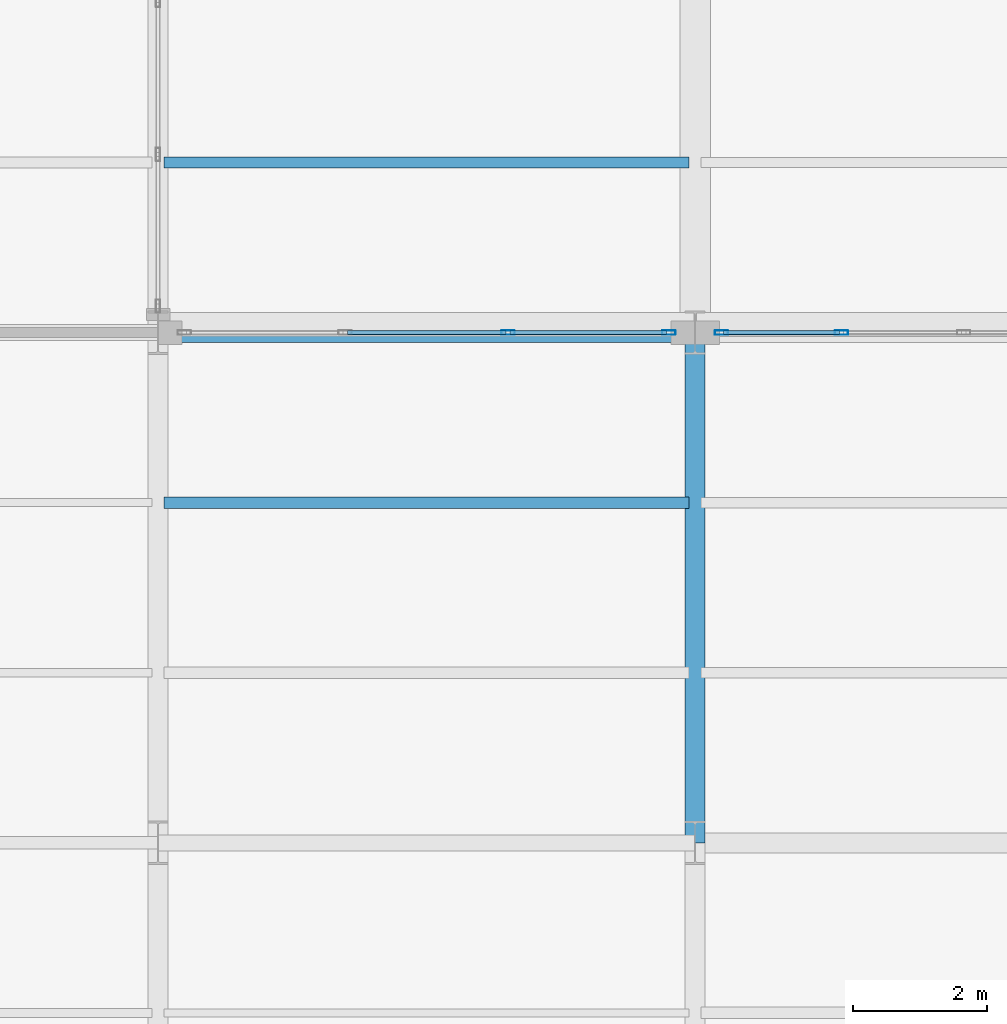
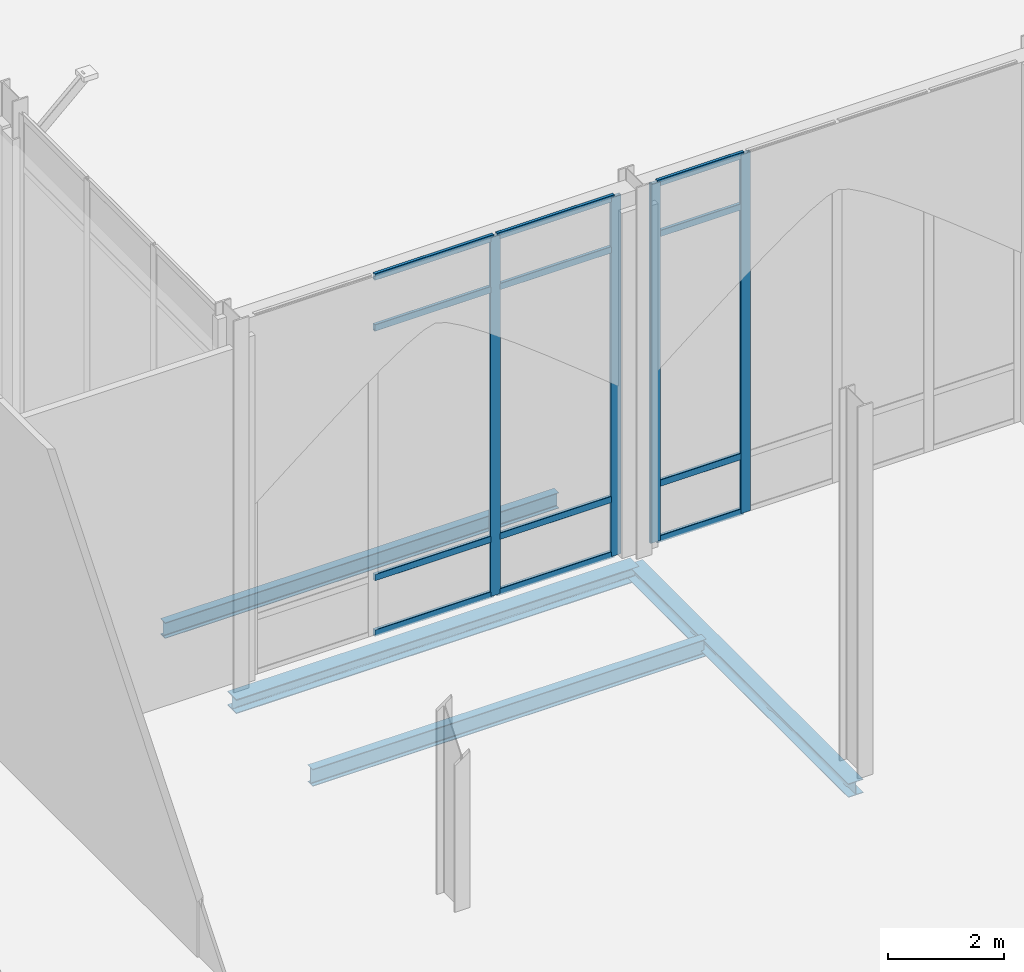
# One storey, part 36 of 176: 16 members, 4 beams, 2 elements without a shape of their own.
"""IFC4 building model written with IfcOpenShell, lengths in metres."""

from ifc_helpers import new_model, si_unit, direction, frame, origin, origin_2d, place, context, subcontext, project, spatial, hollow_rectangle, i_section, extrude, material, layer, layer_set, material_profile, profile_set, type_object, element, aggregate, save


model = new_model("IFC4")

# Units and contexts
model_context = context("Model", 3, precision=1e-05, world=origin(), true_north=direction((0.0, 1.0)))
body_context = subcontext(model_context, "Body", "Model", "MODEL_VIEW")
ifc_project = project(units=[si_unit("LENGTHUNIT", "METRE"), si_unit("AREAUNIT", "SQUARE_METRE"), si_unit("VOLUMEUNIT", "CUBIC_METRE"), si_unit("PLANEANGLEUNIT", "RADIAN"), si_unit("MASSUNIT", "GRAM", prefix="KILO")], contexts=[model_context])

# Site, building, storey
site_placement = place(None, origin())
site = spatial("IfcSite", under=ifc_project, at=site_placement, CompositionType="ELEMENT")
building_placement = place(site_placement, origin())
building = spatial("IfcBuilding", under=site, at=building_placement, Name="Vekula Escarpment Museum", CompositionType="ELEMENT")
storey_placement = place(building_placement, origin())
storey = spatial("IfcBuildingStorey", under=building, at=storey_placement, Name="L01", CompositionType="ELEMENT", Elevation=0.0)

# Beams
ifc_material_1 = material(Name="Steel S355", Category="steel")
ifc_material_profile_1 = material_profile(ifc_material_1, i_section(OverallWidth=0.300048828125, OverallDepth=0.300048828125, WebThickness=0.010986328125, FlangeThickness=0.01904296875, FilletRadius=0.027099609375, at=origin_2d()), Name="HEB 300")
ifc_profile_set_1 = profile_set([ifc_material_profile_1], Name="Steel S355")
beam_type_1 = type_object("IfcBeamType", Name="BM-GIRD-HEB300", PredefinedType="BEAM", material=ifc_profile_set_1)
beam_1_placement = place(storey_placement, frame((102.0, 15.199951171875, -0.449951171875), z_axis=(1.0, 0.0, 0.0), x_axis=(0.0, 1.0, 0.0)))
element("IfcBeam", 1, at=beam_1_placement, inside=storey, type_object=beam_type_1, Name="Beam X L01 0059", PredefinedType="BEAM", context=body_context, shape_type="SweptSolid", body=[
    extrude(i_section(OverallWidth=0.300048828125, OverallDepth=0.300048828125, WebThickness=0.010986328125, FlangeThickness=0.01904296875, FilletRadius=0.027099609375, at=origin_2d()), origin(), (0.0, 0.0, 1.0), 8.0),
])
ifc_material_2 = material(Name="Steel S355", Category="steel")
ifc_material_profile_2 = material_profile(ifc_material_2, i_section(OverallWidth=0.159912109375, OverallDepth=0.330078125, WebThickness=0.007568359375, FlangeThickness=0.011474609375, FilletRadius=0.01806640625, at=origin_2d()), Name="IPE 330")
ifc_profile_set_2 = profile_set([ifc_material_profile_2], Name="Steel S355")
beam_type_2 = type_object("IfcBeamType", Name="BM-JST-IPE330", PredefinedType="JOIST", material=ifc_profile_set_2)
beam_2_placement = place(storey_placement, frame((102.090087890625, 17.7333984375, -0.465087890625), z_axis=(1.0, 0.0, 0.0), x_axis=(0.0, 1.0, 0.0)))
element("IfcBeam", 2, at=beam_2_placement, inside=storey, type_object=beam_type_2, Name="Secondary Joist L01 0324", PredefinedType="JOIST", context=body_context, shape_type="SweptSolid", body=[
    extrude(i_section(OverallWidth=0.159912109375, OverallDepth=0.330078125, WebThickness=0.007568359375, FlangeThickness=0.011474609375, FilletRadius=0.01806640625, at=origin_2d()), origin(), (0.0, 0.0, 1.0), 7.81982421875),
])
ifc_material_3 = material(Name="Steel S355", Category="steel")
ifc_material_profile_3 = material_profile(ifc_material_3, i_section(OverallWidth=0.169921875, OverallDepth=0.360107421875, WebThickness=0.008056640625, FlangeThickness=0.0126953125, FilletRadius=0.01806640625, at=origin_2d()), Name="IPE 360")
ifc_profile_set_3 = profile_set([ifc_material_profile_3], Name="Steel S355")
beam_type_3 = type_object("IfcBeamType", Name="BM-JST-IPE360", PredefinedType="JOIST", material=ifc_profile_set_3)
beam_3_placement = place(storey_placement, frame((102.090087890625, 12.666748046875, -0.47998046875), z_axis=(1.0, 0.0, 0.0), x_axis=(0.0, 1.0, 0.0)))
element("IfcBeam", 3, at=beam_3_placement, inside=storey, type_object=beam_type_3, Name="Secondary Joist L01 0323", PredefinedType="JOIST", context=body_context, shape_type="SweptSolid", body=[
    extrude(i_section(OverallWidth=0.169921875, OverallDepth=0.360107421875, WebThickness=0.008056640625, FlangeThickness=0.0126953125, FilletRadius=0.01806640625, at=origin_2d()), origin(), (0.0, 0.0, 1.0), 7.81982421875),
])
ifc_material_4 = material(Name="Steel S355", Category="steel")
ifc_material_profile_4 = material_profile(ifc_material_4, i_section(OverallWidth=0.300048828125, OverallDepth=0.2900390625, WebThickness=0.008544921875, FlangeThickness=0.013916015625, FilletRadius=0.027099609375, at=origin_2d()), Name="HEA 300")
ifc_profile_set_4 = profile_set([ifc_material_profile_4], Name="Steel S355")
beam_type_4 = type_object("IfcBeamType", Name="BM-SPAN-HEA300", PredefinedType="SPANDREL", material=ifc_profile_set_4)
beam_4_placement = place(storey_placement, frame((110.0, 7.60009765625, -0.445068359375), z_axis=(0.0, 1.0, 0.0), x_axis=(-1.0, 0.0, 0.0)))
element("IfcBeam", 4, at=beam_4_placement, inside=storey, type_object=beam_type_4, Name="Beam Y L01 0613", PredefinedType="SPANDREL", context=body_context, shape_type="SweptSolid", body=[
    extrude(i_section(OverallWidth=0.300048828125, OverallDepth=0.2900390625, WebThickness=0.008544921875, FlangeThickness=0.013916015625, FilletRadius=0.027099609375, at=origin_2d()), origin(), (0.0, 0.0, 1.0), 7.599853515625),
])

# Curtain wall, members
ifc_material_5 = material(Name="Aluminium thermally broken framing", Category="aluminium")
ifc_layer_1 = layer(ifc_material_5, 0.159912109375)
ifc_layer_set_1 = layer_set([ifc_layer_1], Name="Aluminium thermally broken framing")
curtain_wall_type_1 = type_object("IfcCurtainWallType", Name="CW-SYS-01", PredefinedType="NOTDEFINED", material=ifc_layer_set_1)
curtain_wall_1_placement = place(storey_placement, origin())
curtain_wall_1 = element("IfcCurtainWall", 5, at=curtain_wall_1_placement, inside=storey, type_object=curtain_wall_type_1, Name="Curtain Wall CW-L01-001", PredefinedType="NOTDEFINED")
ifc_material_6 = material(Name="Aluminium anodized mullion", Category="aluminium")
ifc_material_profile_5 = material_profile(ifc_material_6, hollow_rectangle(XDim=0.06494140625, YDim=0.199951171875, WallThickness=0.00390625, InnerFilletRadius=0.00390625, OuterFilletRadius=0.008056640625, at=origin_2d()), Name="ALU 200x65x4")
ifc_profile_set_5 = profile_set([ifc_material_profile_5], Name="Aluminium anodized mullion")
member_type_1 = type_object("IfcMemberType", Name="CW-MUL-200", PredefinedType="MULLION", material=ifc_profile_set_5)
member_1_placement = place(storey_placement, frame((112.179931640625, 15.199951171875, 0.0), z_axis=(0.0, 0.0, 1.0), x_axis=(0.0, -1.0, 0.0)))
member_1 = element("IfcMember", 6, at=member_1_placement, type_object=member_type_1, Name="CW-01 mullion 4", PredefinedType="MULLION", context=body_context, shape_type="SweptSolid", body=[
    extrude(hollow_rectangle(XDim=0.06494140625, YDim=0.199951171875, WallThickness=0.00390625, InnerFilletRadius=0.00390625, OuterFilletRadius=0.008056640625, at=origin_2d()), origin(), (0.0, 0.0, 1.0), 7.5400390625),
])
member_2_placement = place(storey_placement, frame((110.392578125, 15.199951171875, 0.0), z_axis=(0.0, 0.0, 1.0), x_axis=(0.0, -1.0, 0.0)))
member_2 = element("IfcMember", 7, at=member_2_placement, type_object=member_type_1, Name="CW-01 mullion 5", PredefinedType="MULLION", context=body_context, shape_type="SweptSolid", body=[
    extrude(hollow_rectangle(XDim=0.06494140625, YDim=0.199951171875, WallThickness=0.00390625, InnerFilletRadius=0.00390625, OuterFilletRadius=0.008056640625, at=origin_2d()), origin(), (0.0, 0.0, 1.0), 7.5400390625),
])

ifc_material_7 = material(Name="Aluminium thermally broken framing", Category="aluminium")
ifc_layer_2 = layer(ifc_material_7, 0.159912109375)
ifc_layer_set_2 = layer_set([ifc_layer_2], Name="Aluminium thermally broken framing")
curtain_wall_type_2 = type_object("IfcCurtainWallType", Name="CW-SYS-02", PredefinedType="NOTDEFINED", material=ifc_layer_set_2)
curtain_wall_2_placement = place(storey_placement, origin())
curtain_wall_2 = element("IfcCurtainWall", 8, at=curtain_wall_2_placement, inside=storey, type_object=curtain_wall_type_2, Name="Curtain Wall CW-L01-002", PredefinedType="NOTDEFINED")
member_3_placement = place(storey_placement, frame((109.607421875, 15.199951171875, 0.0), z_axis=(0.0, 0.0, 1.0), x_axis=(0.0, -1.0, 0.0)))
member_3 = element("IfcMember", 9, at=member_3_placement, type_object=member_type_1, Name="CW-02 mullion 1", PredefinedType="MULLION", context=body_context, shape_type="SweptSolid", body=[
    extrude(hollow_rectangle(XDim=0.06494140625, YDim=0.199951171875, WallThickness=0.00390625, InnerFilletRadius=0.00390625, OuterFilletRadius=0.008056640625, at=origin_2d()), origin(), (0.0, 0.0, 1.0), 7.5400390625),
])
member_4_placement = place(storey_placement, frame((107.21337890625, 15.199951171875, 0.0), z_axis=(0.0, 0.0, 1.0), x_axis=(0.0, -1.0, 0.0)))
member_4 = element("IfcMember", 10, at=member_4_placement, type_object=member_type_1, Name="CW-02 mullion 2", PredefinedType="MULLION", context=body_context, shape_type="SweptSolid", body=[
    extrude(hollow_rectangle(XDim=0.06494140625, YDim=0.199951171875, WallThickness=0.00390625, InnerFilletRadius=0.00390625, OuterFilletRadius=0.008056640625, at=origin_2d()), origin(), (0.0, 0.0, 1.0), 7.5400390625),
])

# Member
ifc_material_8 = material(Name="Aluminium anodized transom", Category="aluminium")
ifc_material_profile_6 = material_profile(ifc_material_8, hollow_rectangle(XDim=0.06494140625, YDim=0.139892578125, WallThickness=0.00390625, InnerFilletRadius=0.00390625, OuterFilletRadius=0.008056640625, at=origin_2d()), Name="ALU 140x65x4")
ifc_profile_set_6 = profile_set([ifc_material_profile_6], Name="Aluminium anodized transom")
member_type_2 = type_object("IfcMemberType", Name="CW-TRN-140", PredefinedType="USERDEFINED", material=ifc_profile_set_6)
member_5_placement = place(storey_placement, frame((112.1474609375, 15.199951171875, 0.032470703125), z_axis=(-1.0, 0.0, 0.0), x_axis=(0.0, -1.0, 0.0)))
member_5 = element("IfcMember", 11, at=member_5_placement, type_object=member_type_2, Name="CW-01 transom 4.1", ObjectType="TRANSOM", PredefinedType="USERDEFINED", context=body_context, shape_type="SweptSolid", body=[
    extrude(hollow_rectangle(XDim=0.06494140625, YDim=0.139892578125, WallThickness=0.00390625, InnerFilletRadius=0.00390625, OuterFilletRadius=0.008056640625, at=origin_2d()), origin(), (0.0, 0.0, 1.0), 1.722412109375),
])

member_6_placement = place(storey_placement, frame((112.1474609375, 15.199951171875, 1.199951171875), z_axis=(-1.0, 0.0, 0.0), x_axis=(0.0, -1.0, 0.0)))
member_6 = element("IfcMember", 12, at=member_6_placement, type_object=member_type_2, Name="CW-01 transom 4.2", ObjectType="TRANSOM", PredefinedType="USERDEFINED", context=body_context, shape_type="SweptSolid", body=[
    extrude(hollow_rectangle(XDim=0.06494140625, YDim=0.139892578125, WallThickness=0.00390625, InnerFilletRadius=0.00390625, OuterFilletRadius=0.008056640625, at=origin_2d()), origin(), (0.0, 0.0, 1.0), 1.722412109375),
])

member_7_placement = place(storey_placement, frame((112.1474609375, 15.199951171875, 6.43994140625), z_axis=(-1.0, 0.0, 0.0), x_axis=(0.0, -1.0, 0.0)))
member_7 = element("IfcMember", 13, at=member_7_placement, type_object=member_type_2, Name="CW-01 transom 4.3", ObjectType="TRANSOM", PredefinedType="USERDEFINED", context=body_context, shape_type="SweptSolid", body=[
    extrude(hollow_rectangle(XDim=0.06494140625, YDim=0.139892578125, WallThickness=0.00390625, InnerFilletRadius=0.00390625, OuterFilletRadius=0.008056640625, at=origin_2d()), origin(), (0.0, 0.0, 1.0), 1.722412109375),
])

member_8_placement = place(storey_placement, frame((112.1474609375, 15.199951171875, 7.507568359375), z_axis=(-1.0, 0.0, 0.0), x_axis=(0.0, -1.0, 0.0)))
member_8 = element("IfcMember", 14, at=member_8_placement, type_object=member_type_2, Name="CW-01 transom 4.4", ObjectType="TRANSOM", PredefinedType="USERDEFINED", context=body_context, shape_type="SweptSolid", body=[
    extrude(hollow_rectangle(XDim=0.06494140625, YDim=0.139892578125, WallThickness=0.00390625, InnerFilletRadius=0.00390625, OuterFilletRadius=0.008056640625, at=origin_2d()), origin(), (0.0, 0.0, 1.0), 1.722412109375),
])

aggregate(curtain_wall_1, [member_1, member_2, member_5, member_6, member_7, member_8])

member_9_placement = place(storey_placement, frame((109.574951171875, 15.199951171875, 0.032470703125), z_axis=(-1.0, 0.0, 0.0), x_axis=(0.0, -1.0, 0.0)))
member_9 = element("IfcMember", 15, at=member_9_placement, type_object=member_type_2, Name="CW-02 transom 1.1", ObjectType="TRANSOM", PredefinedType="USERDEFINED", context=body_context, shape_type="SweptSolid", body=[
    extrude(hollow_rectangle(XDim=0.06494140625, YDim=0.139892578125, WallThickness=0.00390625, InnerFilletRadius=0.00390625, OuterFilletRadius=0.008056640625, at=origin_2d()), origin(), (0.0, 0.0, 1.0), 2.3291015625),
])

member_10_placement = place(storey_placement, frame((109.574951171875, 15.199951171875, 1.199951171875), z_axis=(-1.0, 0.0, 0.0), x_axis=(0.0, -1.0, 0.0)))
member_10 = element("IfcMember", 16, at=member_10_placement, type_object=member_type_2, Name="CW-02 transom 1.2", ObjectType="TRANSOM", PredefinedType="USERDEFINED", context=body_context, shape_type="SweptSolid", body=[
    extrude(hollow_rectangle(XDim=0.06494140625, YDim=0.139892578125, WallThickness=0.00390625, InnerFilletRadius=0.00390625, OuterFilletRadius=0.008056640625, at=origin_2d()), origin(), (0.0, 0.0, 1.0), 2.3291015625),
])

member_11_placement = place(storey_placement, frame((109.574951171875, 15.199951171875, 6.43994140625), z_axis=(-1.0, 0.0, 0.0), x_axis=(0.0, -1.0, 0.0)))
member_11 = element("IfcMember", 17, at=member_11_placement, type_object=member_type_2, Name="CW-02 transom 1.3", ObjectType="TRANSOM", PredefinedType="USERDEFINED", context=body_context, shape_type="SweptSolid", body=[
    extrude(hollow_rectangle(XDim=0.06494140625, YDim=0.139892578125, WallThickness=0.00390625, InnerFilletRadius=0.00390625, OuterFilletRadius=0.008056640625, at=origin_2d()), origin(), (0.0, 0.0, 1.0), 2.3291015625),
])

member_12_placement = place(storey_placement, frame((109.574951171875, 15.199951171875, 7.507568359375), z_axis=(-1.0, 0.0, 0.0), x_axis=(0.0, -1.0, 0.0)))
member_12 = element("IfcMember", 18, at=member_12_placement, type_object=member_type_2, Name="CW-02 transom 1.4", ObjectType="TRANSOM", PredefinedType="USERDEFINED", context=body_context, shape_type="SweptSolid", body=[
    extrude(hollow_rectangle(XDim=0.06494140625, YDim=0.139892578125, WallThickness=0.00390625, InnerFilletRadius=0.00390625, OuterFilletRadius=0.008056640625, at=origin_2d()), origin(), (0.0, 0.0, 1.0), 2.3291015625),
])

member_13_placement = place(storey_placement, frame((107.180908203125, 15.199951171875, 0.032470703125), z_axis=(-1.0, 0.0, 0.0), x_axis=(0.0, -1.0, 0.0)))
member_13 = element("IfcMember", 19, at=member_13_placement, type_object=member_type_2, Name="CW-02 transom 2.1", ObjectType="TRANSOM", PredefinedType="USERDEFINED", context=body_context, shape_type="SweptSolid", body=[
    extrude(hollow_rectangle(XDim=0.06494140625, YDim=0.139892578125, WallThickness=0.00390625, InnerFilletRadius=0.00390625, OuterFilletRadius=0.008056640625, at=origin_2d()), origin(), (0.0, 0.0, 1.0), 2.36181640625),
])

member_14_placement = place(storey_placement, frame((107.180908203125, 15.199951171875, 1.199951171875), z_axis=(-1.0, 0.0, 0.0), x_axis=(0.0, -1.0, 0.0)))
member_14 = element("IfcMember", 20, at=member_14_placement, type_object=member_type_2, Name="CW-02 transom 2.2", ObjectType="TRANSOM", PredefinedType="USERDEFINED", context=body_context, shape_type="SweptSolid", body=[
    extrude(hollow_rectangle(XDim=0.06494140625, YDim=0.139892578125, WallThickness=0.00390625, InnerFilletRadius=0.00390625, OuterFilletRadius=0.008056640625, at=origin_2d()), origin(), (0.0, 0.0, 1.0), 2.36181640625),
])

member_15_placement = place(storey_placement, frame((107.180908203125, 15.199951171875, 6.43994140625), z_axis=(-1.0, 0.0, 0.0), x_axis=(0.0, -1.0, 0.0)))
member_15 = element("IfcMember", 21, at=member_15_placement, type_object=member_type_2, Name="CW-02 transom 2.3", ObjectType="TRANSOM", PredefinedType="USERDEFINED", context=body_context, shape_type="SweptSolid", body=[
    extrude(hollow_rectangle(XDim=0.06494140625, YDim=0.139892578125, WallThickness=0.00390625, InnerFilletRadius=0.00390625, OuterFilletRadius=0.008056640625, at=origin_2d()), origin(), (0.0, 0.0, 1.0), 2.36181640625),
])

member_16_placement = place(storey_placement, frame((107.180908203125, 15.199951171875, 7.507568359375), z_axis=(-1.0, 0.0, 0.0), x_axis=(0.0, -1.0, 0.0)))
member_16 = element("IfcMember", 22, at=member_16_placement, type_object=member_type_2, Name="CW-02 transom 2.4", ObjectType="TRANSOM", PredefinedType="USERDEFINED", context=body_context, shape_type="SweptSolid", body=[
    extrude(hollow_rectangle(XDim=0.06494140625, YDim=0.139892578125, WallThickness=0.00390625, InnerFilletRadius=0.00390625, OuterFilletRadius=0.008056640625, at=origin_2d()), origin(), (0.0, 0.0, 1.0), 2.36181640625),
])

aggregate(curtain_wall_2, [member_3, member_4, member_9, member_10, member_11, member_12, member_13, member_14, member_15, member_16])

save(model, "model.ifc")
